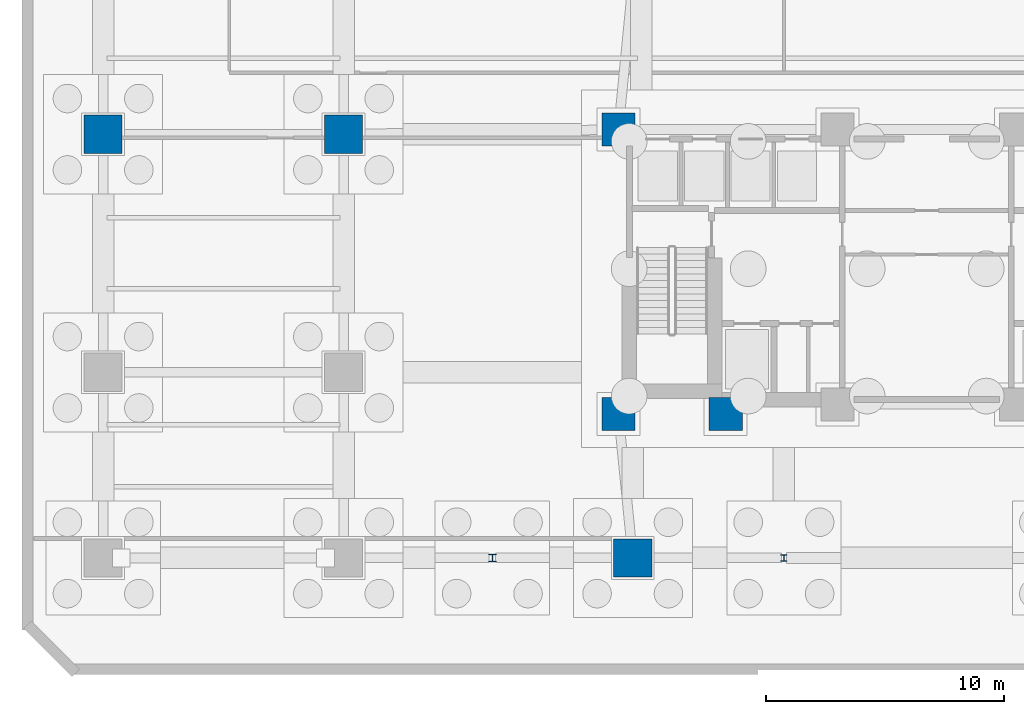
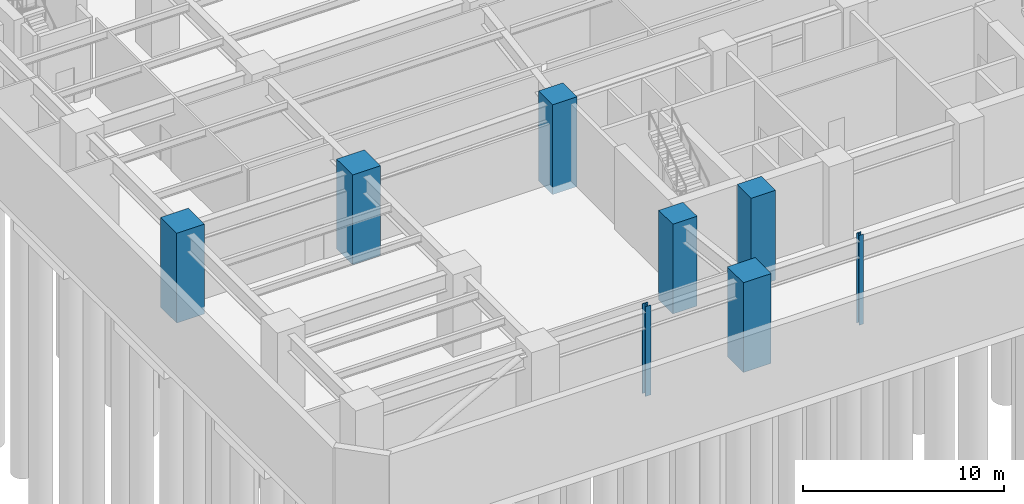
# One storey, part 3 of 15: 8 columns.
"""IFC4 building model written with IfcOpenShell, lengths in metres."""

from ifc_helpers import new_model, si_unit, direction, frame, origin, origin_2d, place, context, subcontext, project, spatial, rectangle, i_section, extrude, material, material_profile, profile_set, type_object, element, save


model = new_model("IFC4")

# Units and contexts
model_context = context("Model", 3, precision=1e-05, world=origin(), true_north=direction((0.0, 1.0)))
body_context = subcontext(model_context, "Body", "Model", "MODEL_VIEW")
ifc_project = project(units=[si_unit("LENGTHUNIT", "METRE"), si_unit("AREAUNIT", "SQUARE_METRE"), si_unit("VOLUMEUNIT", "CUBIC_METRE"), si_unit("PLANEANGLEUNIT", "RADIAN"), si_unit("MASSUNIT", "GRAM", prefix="KILO")], contexts=[model_context])

# Site, building, storey
site_placement = place(None, origin())
site = spatial("IfcSite", under=ifc_project, at=site_placement, CompositionType="ELEMENT")
building_placement = place(site_placement, origin())
building = spatial("IfcBuilding", under=site, at=building_placement, Name="Quenlor Broadcast Tower", CompositionType="ELEMENT")
storey_placement = place(building_placement, frame((0.0, 0.0, -10.0)))
storey = spatial("IfcBuildingStorey", under=building, at=storey_placement, Name="B02", CompositionType="ELEMENT", Elevation=-10.0)

# Columns
ifc_material_1 = material(Name="Concrete C65/80", Category="concrete")
ifc_material_profile_1 = material_profile(ifc_material_1, rectangle(XDim=1.39990234375, YDim=1.39990234375, at=origin_2d()))
ifc_profile_set_1 = profile_set([ifc_material_profile_1], Name="Concrete C65/80 RC1400x1400")
column_type_1 = type_object("IfcColumnType", Name="Core Corner Column Lower Concrete C65/80 1400", PredefinedType="COLUMN", material=ifc_profile_set_1)
for number, where, z_axis, x_axis, name in (
    (1, (-12.949951171875, -16.75, -0.449951171875), (0.0, 0.0, 1.0), (1.0, 0.0, 0.0), "B02 Core Column CC1"),
    (2, (-8.449951171875, -16.75, -0.449951171875), (0.0, 0.0, 1.0), (1.0, 0.0, 0.0), "B02 Core Column CC2"),
    (3, (-12.949951171875, -4.800048828125, -0.449951171875), (0.0, 0.0, 1.0), (1.0, 0.0, 0.0), "B02 Core Column CC7"),
):
    element("IfcColumn", number, at=place(storey_placement, frame(where, z_axis=z_axis, x_axis=x_axis)), inside=storey, type_object=column_type_1, Name=name, PredefinedType="COLUMN", context=body_context, shape_type="SweptSolid", body=[
        extrude(rectangle(XDim=1.39990234375, YDim=1.39990234375, at=origin_2d()), origin(), (0.0, 0.0, 1.0), 5.449951171875),
    ])
ifc_material_2 = material(Name="Steel S355", Category="steel")
ifc_material_profile_2 = material_profile(ifc_material_2, i_section(OverallWidth=0.256103515625, OverallDepth=0.260009765625, WebThickness=0.010498046875, FlangeThickness=0.017333984375, FilletRadius=0.013916015625, at=origin_2d()))
ifc_profile_set_2 = profile_set([ifc_material_profile_2], Name="Steel S355 250UC89.5")
column_type_2 = type_object("IfcColumnType", Name="Podium Gallery Post Steel S355 250UC89.5", PredefinedType="COLUMN", material=ifc_profile_set_2)
column_1_placement = place(storey_placement, frame((-6.0, -22.800048828125, -0.449951171875), z_axis=(0.0, 0.0, 1.0), x_axis=(1.0, 0.0, 0.0)))
element("IfcColumn", 4, at=column_1_placement, inside=storey, type_object=column_type_2, Name="B02 Station Steel Column SPW2", PredefinedType="COLUMN", context=body_context, shape_type="SweptSolid", body=[
    extrude(i_section(OverallWidth=0.256103515625, OverallDepth=0.260009765625, WebThickness=0.010498046875, FlangeThickness=0.017333984375, FilletRadius=0.013916015625, at=origin_2d()), origin(), (0.0, 0.0, 1.0), 5.449951171875),
])
ifc_material_3 = material(Name="Concrete C65/80", Category="concrete")
ifc_material_profile_3 = material_profile(ifc_material_3, rectangle(XDim=1.60009765625, YDim=1.60009765625, at=origin_2d()))
ifc_profile_set_3 = profile_set([ifc_material_profile_3], Name="Concrete C65/80 RC1600x1600")
column_type_3 = type_object("IfcColumnType", Name="Podium Mega Column Concrete C65/80 1600", PredefinedType="COLUMN", material=ifc_profile_set_3)
for number, where, z_axis, x_axis, name in (
    (5, (-12.35009765625, -22.800048828125, -0.449951171875), (0.0, 0.0, 1.0), (1.0, 0.0, 0.0), "B02 Podium Mega Column PM3"),
    (6, (-34.60009765625, -5.0, -0.449951171875), (0.0, 0.0, 1.0), (1.0, 0.0, 0.0), "B02 Podium Mega Column PM11"),
    (7, (-24.5, -5.0, -0.449951171875), (0.0, 0.0, 1.0), (1.0, 0.0, 0.0), "B02 Podium Mega Column PM12"),
):
    element("IfcColumn", number, at=place(storey_placement, frame(where, z_axis=z_axis, x_axis=x_axis)), inside=storey, type_object=column_type_3, Name=name, PredefinedType="COLUMN", context=body_context, shape_type="SweptSolid", body=[
        extrude(rectangle(XDim=1.60009765625, YDim=1.60009765625, at=origin_2d()), origin(), (0.0, 0.0, 1.0), 5.449951171875),
    ])
ifc_material_4 = material(Name="Steel S355", Category="steel")
ifc_material_profile_4 = material_profile(ifc_material_4, i_section(OverallWidth=0.31103515625, OverallDepth=0.3271484375, WebThickness=0.015625, FlangeThickness=0.02490234375, FilletRadius=0.0166015625, at=origin_2d()))
ifc_profile_set_4 = profile_set([ifc_material_profile_4], Name="Steel S355 310UC158")
column_type_4 = type_object("IfcColumnType", Name="Podium Trim Post Steel S355 310UC158", PredefinedType="COLUMN", material=ifc_profile_set_4)
column_2_placement = place(storey_placement, frame((-18.25, -22.800048828125, -0.449951171875), z_axis=(0.0, 0.0, 1.0), x_axis=(1.0, 0.0, 0.0)))
element("IfcColumn", 8, at=column_2_placement, inside=storey, type_object=column_type_4, Name="B02 Station Steel Column SPW1", PredefinedType="COLUMN", context=body_context, shape_type="SweptSolid", body=[
    extrude(i_section(OverallWidth=0.31103515625, OverallDepth=0.3271484375, WebThickness=0.015625, FlangeThickness=0.02490234375, FilletRadius=0.0166015625, at=origin_2d()), origin(), (0.0, 0.0, 1.0), 5.449951171875),
])

save(model, "model.ifc")
